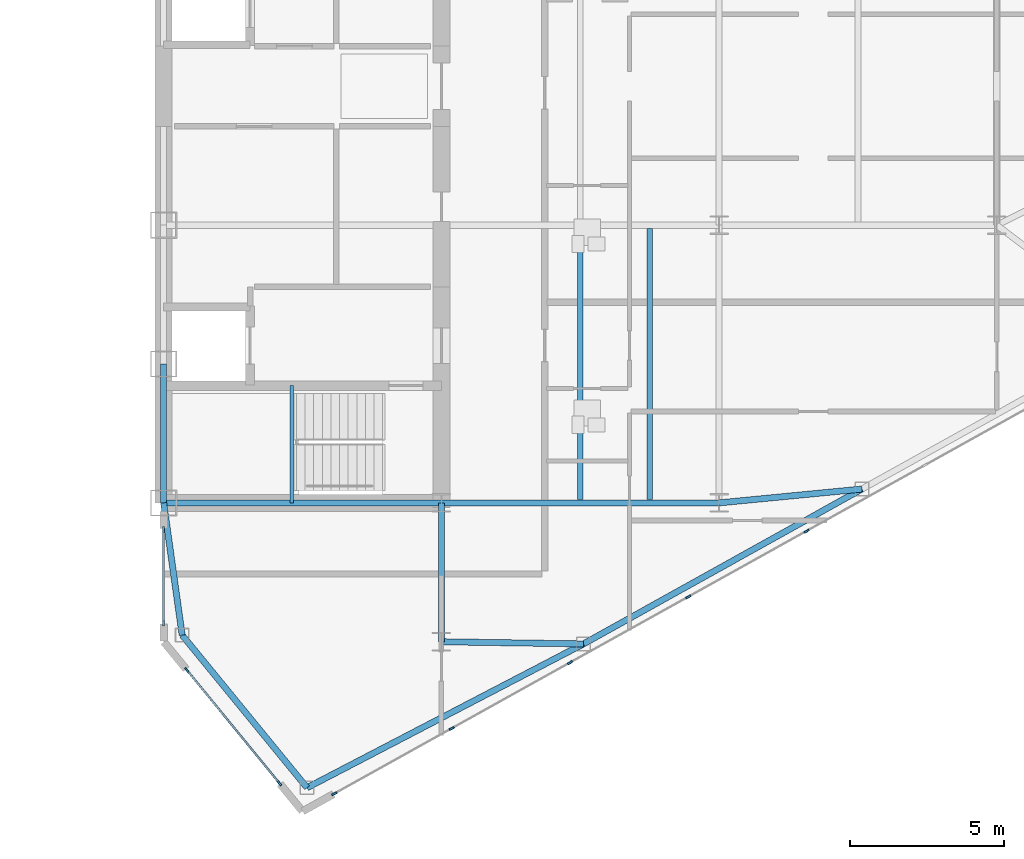
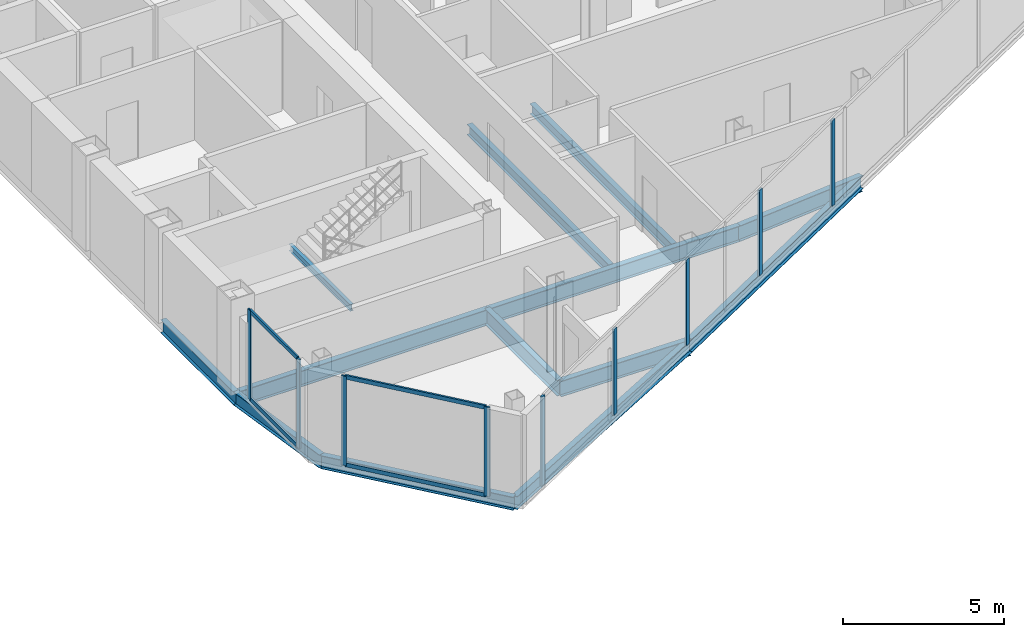
# One storey, part 11 of 26: 13 beams, 13 members, 3 elements without a shape of their own.
"""IFC4 building model written with IfcOpenShell, lengths in metres."""

from ifc_helpers import new_model, si_unit, direction, frame, origin, origin_2d, place, context, subcontext, project, spatial, rectangle, i_section, extrude, source, transform, mapped, material, layer, layer_set, material_profile, profile_set, type_object, type_shapes, element, aggregate, save


model = new_model("IFC4")

# Units and contexts
model_context = context("Model", 3, precision=1e-05, world=origin(), true_north=direction((0.0, 1.0)))
body_context = subcontext(model_context, "Body", "Model", "MODEL_VIEW")
ifc_project = project(units=[si_unit("LENGTHUNIT", "METRE"), si_unit("AREAUNIT", "SQUARE_METRE"), si_unit("VOLUMEUNIT", "CUBIC_METRE"), si_unit("PLANEANGLEUNIT", "RADIAN"), si_unit("MASSUNIT", "GRAM", prefix="KILO")], contexts=[model_context])

# Site, building, storey
site_placement = place(None, origin())
site = spatial("IfcSite", under=ifc_project, at=site_placement, CompositionType="ELEMENT")
building_placement = place(site_placement, origin())
building = spatial("IfcBuilding", under=site, at=building_placement, Name="Seokmaru Belvedere", CompositionType="ELEMENT")
storey_placement = place(building_placement, frame((0.0, 0.0, 174.300048828125)))
storey = spatial("IfcBuildingStorey", under=building, at=storey_placement, Name="L46", CompositionType="ELEMENT", Elevation=174.300048828125)

# Beams
ifc_material_1 = material(Name="Steel SM355 (355 MPa)", Category="steel")
ifc_material_profile_1 = material_profile(ifc_material_1, i_section(OverallWidth=0.199951171875, OverallDepth=0.5, WebThickness=0.010009765625, FlangeThickness=0.01611328125, at=origin_2d()), Name="H-500x200x10x16")
ifc_profile_set_1 = profile_set([ifc_material_profile_1], Name="Steel SM355 (355 MPa)")
beam_type_1 = type_object("IfcBeamType", Name="Perimeter Spandrel Beam H-500", PredefinedType="SPANDREL", material=ifc_profile_set_1)
shared_shape_1 = source(origin(), body_context, "Body", "SweptSolid", [
    extrude(i_section(OverallWidth=0.199951171875, OverallDepth=0.5, WebThickness=0.010009765625, FlangeThickness=0.01611328125, at=origin_2d()), origin(), (0.0, 0.0, 1.0), 4.5),
])
beam_1_placement = place(storey_placement, frame((27.5, -13.5, -0.469970703125), z_axis=(0.0, 1.0, 0.0), x_axis=(-1.0, 0.0, 0.0)))
element("IfcBeam", 1, at=beam_1_placement, inside=storey, type_object=beam_type_1, Name="L46 E Portal Spine Spandrel 1", PredefinedType="SPANDREL", context=body_context, shape_type="MappedRepresentation", body=[
    mapped(shared_shape_1, transform((0.0, 0.0, 0.0), scale=1.0)),
])
ifc_material_profile_2 = material_profile(ifc_material_1, i_section(OverallWidth=0.199951171875, OverallDepth=0.60009765625, WebThickness=0.010986328125, FlangeThickness=0.01708984375, at=origin_2d()), Name="H-600x200x11x17")
ifc_profile_set_2 = profile_set([ifc_material_profile_2], Name="Steel SM355 (355 MPa)")
beam_type_2 = type_object("IfcBeamType", Name="Primary Floor Girder H-600", PredefinedType="BEAM", material=ifc_profile_set_2)
shared_shape_2 = source(origin(), body_context, "Body", "SweptSolid", [
    extrude(i_section(OverallWidth=0.199951171875, OverallDepth=0.60009765625, WebThickness=0.010986328125, FlangeThickness=0.01708984375, at=origin_2d()), origin(), (0.0, 0.0, 1.0), 9.0),
])
for number, where, z_axis, x_axis, name in (
    (2, (27.5, -13.5, -0.52001953125), (1.0, 0.0, 0.0), (0.0, 1.0, 0.0), "L46 E Core Tie Girder 1"),
    (3, (36.5, -13.5, -0.52001953125), (1.0, 0.0, 0.0), (0.0, 1.0, 0.0), "L46 E Wing Primary Girder 1"),
):
    element("IfcBeam", number, at=place(storey_placement, frame(where, z_axis=z_axis, x_axis=x_axis)), inside=storey, type_object=beam_type_2, Name=name, PredefinedType="BEAM", context=body_context, shape_type="MappedRepresentation", body=[
        mapped(shared_shape_2, transform((0.0, 0.0, 0.0), scale=1.0)),
    ])
ifc_material_profile_3 = material_profile(ifc_material_1, i_section(OverallWidth=0.18505859375, OverallDepth=0.389892578125, WebThickness=0.008056640625, FlangeThickness=0.011962890625, at=origin_2d()), Name="H-390x185x8x12")
ifc_profile_set_3 = profile_set([ifc_material_profile_3], Name="Steel SM355 (355 MPa)")
beam_type_3 = type_object("IfcBeamType", Name="Secondary Floor Joist H-350", PredefinedType="JOIST", material=ifc_profile_set_3)
shared_shape_3 = source(origin(), body_context, "Body", "SweptSolid", [
    extrude(i_section(OverallWidth=0.18505859375, OverallDepth=0.389892578125, WebThickness=0.008056640625, FlangeThickness=0.011962890625, at=origin_2d()), origin(), (0.0, 0.0, 1.0), 8.7900390625),
])
type_shapes(beam_type_3, [shared_shape_3])
for number, where, z_axis, x_axis, name in (
    (4, (43.25, -13.39501953125, -0.4150390625), (0.0, 1.0, 0.0), (-1.0, 0.0, 0.0), "L46 E Wing Inner Secondary Joist 1"),
    (5, (41.0, -13.39501953125, -0.4150390625), (0.0, 1.0, 0.0), (-1.0, 0.0, 0.0), "L46 E Secondary Floor Joist 1"),
):
    element("IfcBeam", number, at=place(storey_placement, frame(where, z_axis=z_axis, x_axis=x_axis)), inside=storey, type_object=beam_type_3, Name=name, PredefinedType="JOIST", context=body_context, shape_type="MappedRepresentation", body=[
        mapped(shared_shape_3, transform((0.0, 0.0, 0.0), scale=1.0)),
    ])
shared_shape_4 = source(origin(), body_context, "Body", "SweptSolid", [
    extrude(i_section(OverallWidth=0.199951171875, OverallDepth=0.60009765625, WebThickness=0.010986328125, FlangeThickness=0.01708984375, at=origin_2d()), origin(), (0.0, 0.0, 1.0), 4.5),
])
beam_2_placement = place(storey_placement, frame((36.5, -18.0, -0.52001953125), z_axis=(0.0, 1.0, 0.0), x_axis=(-1.0, 0.0, 0.0)))
element("IfcBeam", 6, at=beam_2_placement, inside=storey, type_object=beam_type_2, Name="L46 E Core Shoulder Girder S", PredefinedType="BEAM", context=body_context, shape_type="MappedRepresentation", body=[
    mapped(shared_shape_4, transform((0.0, 0.0, 0.0), scale=1.0)),
])
shared_shape_5 = source(origin(), body_context, "Body", "SweptSolid", [
    extrude(i_section(OverallWidth=0.199951171875, OverallDepth=0.5, WebThickness=0.010009765625, FlangeThickness=0.01611328125, at=origin_2d()), origin(), (0.0, 0.0, 1.0), 10.09716796875),
])
beam_3_placement = place(storey_placement, frame((32.146728515625, -22.731689453125, -0.469970703125), z_axis=(0.887085728914, 0.461604711369, 0.0), x_axis=(-0.461604711369, 0.887085728914, 0.0)))
element("IfcBeam", 7, at=beam_3_placement, inside=storey, type_object=beam_type_1, Name="L46 E Faceted Flank Spandrel S-1", PredefinedType="SPANDREL", context=body_context, shape_type="MappedRepresentation", body=[
    mapped(shared_shape_5, transform((0.0, 0.0, 0.0), scale=1.0)),
])
shared_shape_6 = source(origin(), body_context, "Body", "SweptSolid", [
    extrude(i_section(OverallWidth=0.199951171875, OverallDepth=0.5, WebThickness=0.010009765625, FlangeThickness=0.01611328125, at=origin_2d()), origin(), (0.0, 0.0, 1.0), 10.327392578125),
])
beam_4_placement = place(storey_placement, frame((41.103759765625, -18.07080078125, -0.469970703125), z_axis=(0.873924120588, 0.486062374037, 0.0), x_axis=(-0.486062374037, 0.873924120588, 0.0)))
element("IfcBeam", 8, at=beam_4_placement, inside=storey, type_object=beam_type_1, Name="L46 E Faceted Flank Spandrel S-2", PredefinedType="SPANDREL", context=body_context, shape_type="MappedRepresentation", body=[
    mapped(shared_shape_6, transform((0.0, 0.0, 0.0), scale=1.0)),
])
shared_shape_7 = source(origin(), body_context, "Body", "SweptSolid", [
    extrude(i_section(OverallWidth=0.199951171875, OverallDepth=0.5, WebThickness=0.010009765625, FlangeThickness=0.01611328125, at=origin_2d()), origin(), (0.0, 0.0, 1.0), 6.390380859375),
])
beam_5_placement = place(storey_placement, frame((32.146728515625, -22.731689453125, -0.469970703125), z_axis=(-0.63324403161, 0.7739521926, 0.0), x_axis=(-0.7739521926, -0.63324403161, 0.0)))
element("IfcBeam", 9, at=beam_5_placement, inside=storey, type_object=beam_type_1, Name="L46 E Shoulder Chamfer Spandrel S", PredefinedType="SPANDREL", context=body_context, shape_type="MappedRepresentation", body=[
    mapped(shared_shape_7, transform((0.0, 0.0, 0.0), scale=1.0)),
])
shared_shape_8 = source(origin(), body_context, "Body", "SweptSolid", [
    extrude(i_section(OverallWidth=0.199951171875, OverallDepth=0.5, WebThickness=0.010009765625, FlangeThickness=0.01611328125, at=origin_2d()), origin(), (0.0, 0.0, 1.0), 4.32763671875),
])
type_shapes(beam_type_1, [shared_shape_1, shared_shape_5, shared_shape_6, shared_shape_7, shared_shape_8])
beam_6_placement = place(storey_placement, frame((28.10009765625, -17.785888671875, -0.469970703125), z_axis=(-0.138664443237, 0.990339422714, 0.0), x_axis=(-0.990339422714, -0.138664443237, 0.0)))
element("IfcBeam", 10, at=beam_6_placement, inside=storey, type_object=beam_type_1, Name="L46 E Shoulder Spine Spandrel S", PredefinedType="SPANDREL", context=body_context, shape_type="MappedRepresentation", body=[
    mapped(shared_shape_8, transform((0.0, 0.0, 0.0), scale=1.0)),
])
shared_shape_9 = source(origin(), body_context, "Body", "SweptSolid", [
    extrude(i_section(OverallWidth=0.199951171875, OverallDepth=0.60009765625, WebThickness=0.010986328125, FlangeThickness=0.01708984375, at=origin_2d()), origin(), (0.0, 0.0, 1.0), 4.604248046875),
])
beam_7_placement = place(storey_placement, frame((41.103759765625, -18.07080078125, -0.52001953125), z_axis=(-0.999881765622, 0.01537708607, 0.0), x_axis=(-0.01537708607, -0.999881765622, 0.0)))
element("IfcBeam", 11, at=beam_7_placement, inside=storey, type_object=beam_type_2, Name="L46 E Flank Radial Floor Girder S-1", PredefinedType="BEAM", context=body_context, shape_type="MappedRepresentation", body=[
    mapped(shared_shape_9, transform((0.0, 0.0, 0.0), scale=1.0)),
])
shared_shape_10 = source(origin(), body_context, "Body", "SweptSolid", [
    extrude(i_section(OverallWidth=0.199951171875, OverallDepth=0.60009765625, WebThickness=0.010986328125, FlangeThickness=0.01708984375, at=origin_2d()), origin(), (0.0, 0.0, 1.0), 4.65087890625),
])
type_shapes(beam_type_2, [shared_shape_2, shared_shape_4, shared_shape_9, shared_shape_10])
beam_8_placement = place(storey_placement, frame((50.129150390625, -13.051025390625, -0.52001953125), z_axis=(-0.995329534874, -0.09653557379, 0.0), x_axis=(0.09653557379, -0.995329534874, 0.0)))
element("IfcBeam", 12, at=beam_8_placement, inside=storey, type_object=beam_type_2, Name="L46 E Flank Radial Floor Girder S-2", PredefinedType="BEAM", context=body_context, shape_type="MappedRepresentation", body=[
    mapped(shared_shape_10, transform((0.0, 0.0, 0.0), scale=1.0)),
])

# Curtain wall, members
ifc_material_2 = material(Name="Bronze Triple Insulating Glass", Category="glass")
ifc_layer = layer(ifc_material_2, 0.179931640625)
ifc_layer_set = layer_set([ifc_layer], Name="Bronze Triple Insulating Glass")
curtain_wall_type = type_object("IfcCurtainWallType", Name="High-Rise Wind-Corner Curtain Wall System CW-5", PredefinedType="NOTDEFINED", material=ifc_layer_set)
curtain_wall_1_placement = place(storey_placement, origin())
curtain_wall_1 = element("IfcCurtainWall", 13, at=curtain_wall_1_placement, inside=storey, type_object=curtain_wall_type, Name="L46 Curtain Wall ESP_1", PredefinedType="NOTDEFINED")
ifc_material_3 = material(Name="Anodised Bronze Aluminium", Category="aluminium")
ifc_material_profile_4 = material_profile(ifc_material_3, rectangle(XDim=0.06494140625, YDim=0.14990234375, at=origin_2d()), Name="CW-T-65x150")
ifc_profile_set_4 = profile_set([ifc_material_profile_4], Name="Anodised Bronze Aluminium")
member_type_1 = type_object("IfcMemberType", Name="Bronze Unitised Transom 65x150", PredefinedType="USERDEFINED", material=ifc_profile_set_4)
shared_shape_11 = source(origin(), body_context, "Body", "SweptSolid", [
    extrude(rectangle(XDim=0.06494140625, YDim=0.14990234375, at=origin_2d()), origin(), (0.0, 0.0, 1.0), 2.969970703125),
])
member_1_placement = place(storey_placement, frame((27.5, -14.39501953125, 0.032470703125), z_axis=(0.0, -1.0, 0.0), x_axis=(1.0, 0.0, 0.0)))
member_1 = element("IfcMember", 14, at=member_1_placement, type_object=member_type_1, Name="CW:L46:ESP_1 Continuous Transom 1", ObjectType="TRANSOM", PredefinedType="USERDEFINED", context=body_context, shape_type="MappedRepresentation", body=[
    mapped(shared_shape_11, transform((0.0, 0.0, 0.0), scale=1.0)),
])
member_2_placement = place(storey_placement, frame((27.5, -14.39501953125, 3.347412109375), z_axis=(0.0, -1.0, 0.0), x_axis=(1.0, 0.0, 0.0)))
member_2 = element("IfcMember", 15, at=member_2_placement, type_object=member_type_1, Name="CW:L46:ESP_1 Continuous Transom 2", ObjectType="TRANSOM", PredefinedType="USERDEFINED", context=body_context, shape_type="MappedRepresentation", body=[
    mapped(shared_shape_11, transform((0.0, 0.0, 0.0), scale=1.0)),
])

curtain_wall_2_placement = place(storey_placement, origin())
curtain_wall_2 = element("IfcCurtainWall", 16, at=curtain_wall_2_placement, inside=storey, type_object=curtain_wall_type, Name="L46 Curtain Wall EF6", PredefinedType="NOTDEFINED")
shared_shape_12 = source(origin(), body_context, "Body", "SweptSolid", [
    extrude(rectangle(XDim=0.06494140625, YDim=0.14990234375, at=origin_2d()), origin(), (0.0, 0.0, 1.0), 4.67626953125),
])
type_shapes(member_type_1, [shared_shape_11, shared_shape_12])
member_3_placement = place(storey_placement, frame((28.269287109375, -18.9404296875, 0.032470703125), z_axis=(0.633277591216, -0.773924733074, 0.0), x_axis=(0.773924733074, 0.633277591216, 0.0)))
member_3 = element("IfcMember", 17, at=member_3_placement, type_object=member_type_1, Name="CW:L46:EF6 Continuous Transom 1", ObjectType="TRANSOM", PredefinedType="USERDEFINED", context=body_context, shape_type="MappedRepresentation", body=[
    mapped(shared_shape_12, transform((0.0, 0.0, 0.0), scale=1.0)),
])
member_4_placement = place(storey_placement, frame((28.269287109375, -18.9404296875, 3.347412109375), z_axis=(0.633277591216, -0.773924733074, 0.0), x_axis=(0.773924733074, 0.633277591216, 0.0)))
member_4 = element("IfcMember", 18, at=member_4_placement, type_object=member_type_1, Name="CW:L46:EF6 Continuous Transom 2", ObjectType="TRANSOM", PredefinedType="USERDEFINED", context=body_context, shape_type="MappedRepresentation", body=[
    mapped(shared_shape_12, transform((0.0, 0.0, 0.0), scale=1.0)),
])

# Curtain wall, member
curtain_wall_3_placement = place(storey_placement, origin())
curtain_wall_3 = element("IfcCurtainWall", 19, at=curtain_wall_3_placement, inside=storey, type_object=curtain_wall_type, Name="L46 Curtain Wall EF1", PredefinedType="NOTDEFINED")
ifc_material_profile_5 = material_profile(ifc_material_3, rectangle(XDim=0.06494140625, YDim=0.179931640625, at=origin_2d()), Name="CW-M-65x180")
ifc_profile_set_5 = profile_set([ifc_material_profile_5], Name="Anodised Bronze Aluminium")
member_type_2 = type_object("IfcMemberType", Name="Bronze Unitised Mullion 65x180", PredefinedType="MULLION", material=ifc_profile_set_5)
shared_shape_13 = source(origin(), body_context, "Body", "SweptSolid", [
    extrude(rectangle(XDim=0.06494140625, YDim=0.179931640625, at=origin_2d()), origin(), (0.0, 0.0, 1.0), 3.3798828125),
])
member_5_placement = place(storey_placement, frame((33.033447265625, -22.92529296875, 0.0), z_axis=(0.0, 0.0, 1.0), x_axis=(-0.486047125147, 0.873932601598, 0.0)))
member_5 = element("IfcMember", 20, at=member_5_placement, type_object=member_type_2, Name="CW:L46:EF1 Mullion 1", PredefinedType="MULLION", context=body_context, shape_type="MappedRepresentation", body=[
    mapped(shared_shape_13, transform((0.0, 0.0, 0.0), scale=1.0)),
])

# Member
member_6_placement = place(storey_placement, frame((27.5, -14.362548828125, 0.0), z_axis=(0.0, 0.0, 1.0), x_axis=(1.0, 0.0, 0.0)))
member_6 = element("IfcMember", 21, at=member_6_placement, type_object=member_type_2, Name="CW:L46:ESP_1 Mullion 1", PredefinedType="MULLION", context=body_context, shape_type="MappedRepresentation", body=[
    mapped(shared_shape_13, transform((0.0, 0.0, 0.0), scale=1.0)),
])

member_7_placement = place(storey_placement, frame((27.5, -17.3974609375, 0.0), z_axis=(0.0, 0.0, 1.0), x_axis=(1.0, 0.0, 0.0)))
member_7 = element("IfcMember", 22, at=member_7_placement, type_object=member_type_2, Name="CW:L46:ESP_1 Mullion 2", PredefinedType="MULLION", context=body_context, shape_type="MappedRepresentation", body=[
    mapped(shared_shape_13, transform((0.0, 0.0, 0.0), scale=1.0)),
])

aggregate(curtain_wall_1, [member_6, member_7, member_1, member_2])

member_8_placement = place(storey_placement, frame((28.248779296875, -18.915283203125, 0.0), z_axis=(0.0, 0.0, 1.0), x_axis=(0.773944112379, 0.633253907144, 0.0)))
member_8 = element("IfcMember", 23, at=member_8_placement, type_object=member_type_2, Name="CW:L46:EF6 Mullion 1", PredefinedType="MULLION", context=body_context, shape_type="MappedRepresentation", body=[
    mapped(shared_shape_13, transform((0.0, 0.0, 0.0), scale=1.0)),
])

member_9_placement = place(storey_placement, frame((31.251220703125, -22.584716796875, 0.0), z_axis=(0.0, 0.0, 1.0), x_axis=(0.773944112379, 0.633253907144, 0.0)))
member_9 = element("IfcMember", 24, at=member_9_placement, type_object=member_type_2, Name="CW:L46:EF6 Mullion 2", PredefinedType="MULLION", context=body_context, shape_type="MappedRepresentation", body=[
    mapped(shared_shape_13, transform((0.0, 0.0, 0.0), scale=1.0)),
])

aggregate(curtain_wall_2, [member_8, member_9, member_3, member_4])

shared_shape_14 = source(origin(), body_context, "Body", "SweptSolid", [
    extrude(rectangle(XDim=0.06494140625, YDim=0.179931640625, at=origin_2d()), origin(), (0.0, 0.0, 1.0), 3.25),
])
type_shapes(member_type_2, [shared_shape_13, shared_shape_14])
member_10_placement = place(storey_placement, frame((36.837158203125, -20.809814453125, 0.06494140625), z_axis=(0.0, 0.0, 1.0), x_axis=(-0.486047125147, 0.873932601598, 0.0)))
member_10 = element("IfcMember", 25, at=member_10_placement, type_object=member_type_2, Name="CW:L46:EF1 Mullion 2", PredefinedType="MULLION", context=body_context, shape_type="MappedRepresentation", body=[
    mapped(shared_shape_14, transform((0.0, 0.0, 0.0), scale=1.0)),
])

member_11_placement = place(storey_placement, frame((40.66943359375, -18.67822265625, 0.06494140625), z_axis=(0.0, 0.0, 1.0), x_axis=(-0.486047125147, 0.873932601598, 0.0)))
member_11 = element("IfcMember", 26, at=member_11_placement, type_object=member_type_2, Name="CW:L46:EF1 Mullion 3", PredefinedType="MULLION", context=body_context, shape_type="MappedRepresentation", body=[
    mapped(shared_shape_14, transform((0.0, 0.0, 0.0), scale=1.0)),
])

member_12_placement = place(storey_placement, frame((44.501708984375, -16.547119140625, 0.06494140625), z_axis=(0.0, 0.0, 1.0), x_axis=(-0.486047125147, 0.873932601598, 0.0)))
member_12 = element("IfcMember", 27, at=member_12_placement, type_object=member_type_2, Name="CW:L46:EF1 Mullion 4", PredefinedType="MULLION", context=body_context, shape_type="MappedRepresentation", body=[
    mapped(shared_shape_14, transform((0.0, 0.0, 0.0), scale=1.0)),
])

member_13_placement = place(storey_placement, frame((48.333984375, -14.415771484375, 0.06494140625), z_axis=(0.0, 0.0, 1.0), x_axis=(-0.486047125147, 0.873932601598, 0.0)))
member_13 = element("IfcMember", 28, at=member_13_placement, type_object=member_type_2, Name="CW:L46:EF1 Mullion 5", PredefinedType="MULLION", context=body_context, shape_type="MappedRepresentation", body=[
    mapped(shared_shape_14, transform((0.0, 0.0, 0.0), scale=1.0)),
])

aggregate(curtain_wall_3, [member_5, member_10, member_11, member_12, member_13])

# Beam
ifc_material_profile_6 = material_profile(ifc_material_1, i_section(OverallWidth=0.125, OverallDepth=0.25, WebThickness=0.006103515625, FlangeThickness=0.009033203125, at=origin_2d()), Name="H-250x125x6x9")
ifc_profile_set_6 = profile_set([ifc_material_profile_6], Name="Steel SM355 (355 MPa)")
beam_type_4 = type_object("IfcBeamType", Name="Stair Mid-Landing Support Beam H-250", PredefinedType="JOIST", material=ifc_profile_set_6)
shared_shape_15 = source(origin(), body_context, "Body", "SweptSolid", [
    extrude(i_section(OverallWidth=0.125, OverallDepth=0.25, WebThickness=0.006103515625, FlangeThickness=0.009033203125, at=origin_2d()), origin(), (0.0, 0.0, 1.0), 3.800048828125),
])
type_shapes(beam_type_4, [shared_shape_15])
beam_9_placement = place(storey_placement, frame((31.64990234375, -13.5, 1.474853515625), z_axis=(0.0, 1.0, 0.0), x_axis=(-1.0, 0.0, 0.0)))
element("IfcBeam", 29, at=beam_9_placement, inside=storey, type_object=beam_type_4, Name="L46 Stair ST-E1 Mid-Landing Support Beam 1", PredefinedType="JOIST", context=body_context, shape_type="MappedRepresentation", body=[
    mapped(shared_shape_15, transform((0.0, 0.0, 0.0), scale=1.0)),
])

save(model, "model.ifc")
